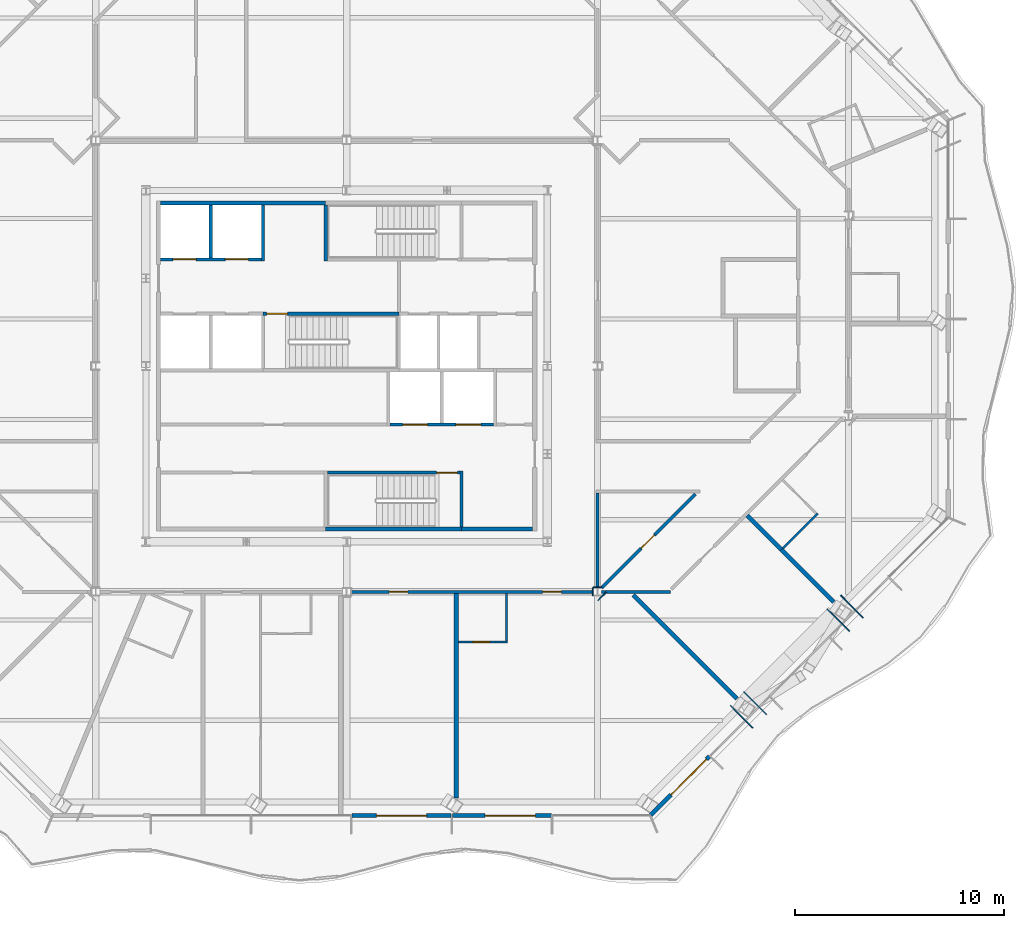
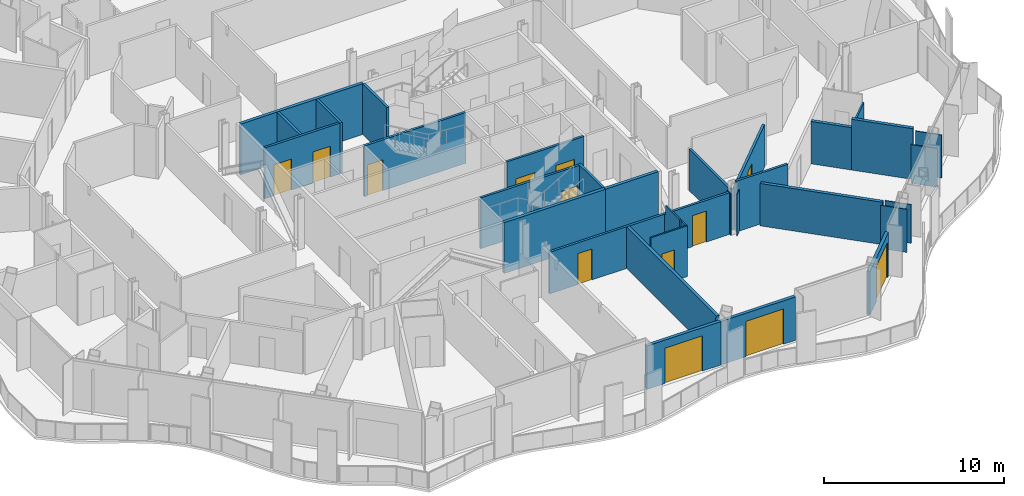
# One storey, part 9 of 22: 32 walls, 13 doors, 13 openings.
"""IFC4 building model written with IfcOpenShell, lengths in metres."""

from ifc_helpers import new_model, si_unit, direction, frame, frame_2d, origin, place, context, subcontext, project, spatial, polyline, rectangle, outline, extrude, material, layer, layer_set, type_object, element, fill, save


model = new_model("IFC4")

# Units and contexts
model_context = context("Model", 3, precision=1e-05, world=origin(), true_north=direction((0.0, 1.0)))
body_context = subcontext(model_context, "Body", "Model", "MODEL_VIEW")
ifc_project = project(units=[si_unit("LENGTHUNIT", "METRE"), si_unit("AREAUNIT", "SQUARE_METRE"), si_unit("VOLUMEUNIT", "CUBIC_METRE"), si_unit("PLANEANGLEUNIT", "RADIAN"), si_unit("MASSUNIT", "GRAM", prefix="KILO")], contexts=[model_context])

# Site, building, storey
site_placement = place(None, origin())
site = spatial("IfcSite", under=ifc_project, at=site_placement, CompositionType="ELEMENT")
building_placement = place(site_placement, origin())
building = spatial("IfcBuilding", under=site, at=building_placement, Name="Cairn Pilgrim Tower", CompositionType="ELEMENT")
storey_placement = place(building_placement, frame((0.0, 0.0, 175.800048828125)))
storey = spatial("IfcBuildingStorey", under=building, at=storey_placement, Name="L44", CompositionType="ELEMENT", Elevation=175.800048828125)

# Wall, opening, door
ifc_material_1 = material(Name="Bronze anodised aluminium insulated sandwich panel with mineral wool fill", Category="aluminium")
ifc_layer_1 = layer(ifc_material_1, 0.199951171875)
ifc_layer_set_1 = layer_set([ifc_layer_1], Name="BRONZE INFILL FRAME WALL 200")
wall_type_1 = type_object("IfcWallType", Name="BRONZE INFILL FRAME WALL 200", PredefinedType="NOTDEFINED", material=ifc_layer_set_1)
wall_1_placement = place(storey_placement, frame((7.455078125, -19.10009765625, 0.0), z_axis=(0.0, 0.0, 1.0), x_axis=(1.0, 0.0, 0.0)))
wall_1 = element("IfcWall", 1, at=wall_1_placement, inside=storey, type_object=wall_type_1, Name="Bronze infill frame wall IW-S4", PredefinedType="NOTDEFINED", context=body_context, shape_type="SweptSolid", body=[
    extrude(rectangle(XDim=4.739990234375, YDim=0.199951171875, at=frame_2d((2.3701171875, 0.0))), origin(), (0.0, 0.0, 1.0), 2.949951171875),
])
opening_1_placement = place(wall_1_placement, frame((1.169921875, 0.0, 0.0)))
opening_1 = element("IfcOpeningElement", 2, at=opening_1_placement, cuts=wall_1, Name="Opening 4401B", PredefinedType="OPENING", context=body_context, shape_type="SweptSolid", body=[
    extrude(rectangle(XDim=2.39990234375, YDim=2.39990234375, at=frame_2d((1.199951171875, 1.199951171875))), frame((0.0, 0.10986328125, 0.0), z_axis=(0.0, -1.0, 0.0), x_axis=(1.0, 0.0, 0.0)), (0.0, 0.0, 1.0), 0.219970703125),
])
ifc_material_2 = material(Name="Bronze anodised aluminium frame with tinted low-E glass", Category="aluminium")
door_type_1 = type_object("IfcDoorType", Name="BALCONY SLIDING DOOR 2400x2400", OperationType="DOUBLE_DOOR_SLIDING", PredefinedType="DOOR", material=ifc_material_2)
door_1_placement = place(opening_1_placement, origin())
door_1 = element("IfcDoor", 3, at=door_1_placement, inside=storey, type_object=door_type_1, Name="Balcony sliding door 4401B", OperationType="SINGLE_SWING_LEFT", OverallHeight=2.39990234375, OverallWidth=2.39990234375, PredefinedType="DOOR", context=body_context, shape_type="SweptSolid", body=[
    extrude(rectangle(XDim=2.39990234375, YDim=2.39990234375, at=frame_2d((1.199951171875, 1.199951171875))), frame((0.0, 0.02490234375, 0.0), z_axis=(0.0, -1.0, 0.0), x_axis=(1.0, 0.0, 0.0)), (0.0, 0.0, 1.0), 0.050048828125),
])
fill(opening_1, door_1)

wall_2_placement = place(storey_placement, frame((12.2548828125, -19.10009765625, 0.0), z_axis=(0.0, 0.0, 1.0), x_axis=(1.0, 0.0, 0.0)))
wall_2 = element("IfcWall", 4, at=wall_2_placement, inside=storey, type_object=wall_type_1, Name="Bronze infill frame wall IW-S5", PredefinedType="NOTDEFINED", context=body_context, shape_type="SweptSolid", body=[
    extrude(rectangle(XDim=4.740234375, YDim=0.199951171875, at=frame_2d((2.3701171875, 0.0))), origin(), (0.0, 0.0, 1.0), 2.949951171875),
])
opening_2_placement = place(wall_2_placement, frame((1.5703125, 0.0, 0.0)))
opening_2 = element("IfcOpeningElement", 5, at=opening_2_placement, cuts=wall_2, Name="Opening 4402B", PredefinedType="OPENING", context=body_context, shape_type="SweptSolid", body=[
    extrude(rectangle(XDim=2.39990234375, YDim=2.39990234375, at=frame_2d((1.199951171875, 1.199951171875))), frame((0.0, 0.10986328125, 0.0), z_axis=(0.0, -1.0, 0.0), x_axis=(1.0, 0.0, 0.0)), (0.0, 0.0, 1.0), 0.219970703125),
])
door_2_placement = place(opening_2_placement, origin())
door_2 = element("IfcDoor", 6, at=door_2_placement, inside=storey, type_object=door_type_1, Name="Balcony sliding door 4402B", OperationType="SINGLE_SWING_LEFT", OverallHeight=2.39990234375, OverallWidth=2.39990234375, PredefinedType="DOOR", context=body_context, shape_type="SweptSolid", body=[
    extrude(rectangle(XDim=2.39990234375, YDim=2.39990234375, at=frame_2d((1.199951171875, 1.199951171875))), frame((0.0, 0.02490234375, 0.0), z_axis=(0.0, -1.0, 0.0), x_axis=(1.0, 0.0, 0.0)), (0.0, 0.0, 1.0), 0.050048828125),
])
fill(opening_2, door_2)

wall_3_placement = place(storey_placement, frame((21.749755859375, -19.07177734375, 0.0), z_axis=(0.0, 0.0, 1.0), x_axis=(0.707106781187, 0.707106781187, 0.0)))
wall_3 = element("IfcWall", 7, at=wall_3_placement, inside=storey, type_object=wall_type_1, Name="Bronze infill frame wall IW-SE1", PredefinedType="NOTDEFINED", context=body_context, shape_type="SweptSolid", body=[
    extrude(rectangle(XDim=3.961669921875, YDim=0.199951171875, at=frame_2d((1.98095703125, 0.0))), origin(), (0.0, 0.0, 1.0), 2.949951171875),
])
opening_3_placement = place(wall_3_placement, frame((1.361572265625, 0.0, 0.0)))
opening_3 = element("IfcOpeningElement", 8, at=opening_3_placement, cuts=wall_3, Name="Opening 4402B2", PredefinedType="OPENING", context=body_context, shape_type="SweptSolid", body=[
    extrude(rectangle(XDim=2.39990234375, YDim=2.39990234375, at=frame_2d((1.199951171875, 1.199951171875))), frame((0.0, 0.10986328125, 0.0), z_axis=(0.0, -1.0, 0.0), x_axis=(1.0, 0.0, 0.0)), (0.0, 0.0, 1.0), 0.219970703125),
])
door_3_placement = place(opening_3_placement, origin())
door_3 = element("IfcDoor", 9, at=door_3_placement, inside=storey, type_object=door_type_1, Name="Balcony sliding door 4402B2", OperationType="SINGLE_SWING_LEFT", OverallHeight=2.39990234375, OverallWidth=2.39990234375, PredefinedType="DOOR", context=body_context, shape_type="SweptSolid", body=[
    extrude(rectangle(XDim=2.39990234375, YDim=2.39990234375, at=frame_2d((1.199951171875, 1.199951171875))), frame((0.0, 0.02490234375, 0.0), z_axis=(0.0, -1.0, 0.0), x_axis=(1.0, 0.0, 0.0)), (0.0, 0.0, 1.0), 0.050048828125),
])
fill(opening_3, door_3)

# Walls
ifc_material_3 = material(Name="Concrete C32/40", Category="concrete")
ifc_layer_2 = layer(ifc_material_3, 0.199951171875)
ifc_layer_set_2 = layer_set([ifc_layer_2], Name="CORE OUTER WALL 200 EI 120")
wall_type_2 = type_object("IfcWallType", Name="CORE OUTER WALL 200 EI 120", PredefinedType="SOLIDWALL", material=ifc_layer_set_2)
wall_4_placement = place(storey_placement, frame((12.699951171875, -5.39990234375, 0.0), z_axis=(0.0, 0.0, 1.0), x_axis=(1.0, 0.0, 0.0)))
element("IfcWall", 10, at=wall_4_placement, inside=storey, type_object=wall_type_2, Name="CW:L44:H01-3", PredefinedType="SOLIDWALL", context=body_context, shape_type="SweptSolid", body=[
    extrude(rectangle(XDim=3.400146484375, YDim=0.199951171875, at=frame_2d((1.7001953125, 0.0))), origin(), (0.0, 0.0, 1.0), 3.449951171875),
])
wall_5_placement = place(storey_placement, frame((-1.699951171875, 10.199951171875, 0.0), z_axis=(0.0, 0.0, 1.0), x_axis=(1.0, 0.0, 0.0)))
element("IfcWall", 11, at=wall_5_placement, inside=storey, type_object=wall_type_2, Name="CW:L44:H12-1", PredefinedType="SOLIDWALL", context=body_context, shape_type="SweptSolid", body=[
    extrude(rectangle(XDim=7.89990234375, YDim=0.199951171875, at=frame_2d((3.949951171875, 0.0))), origin(), (0.0, 0.0, 1.0), 3.449951171875),
])

# Wall, openings, doors
ifc_layer_3 = layer(ifc_material_3, 0.14990234375)
ifc_layer_set_3 = layer_set([ifc_layer_3], Name="CORE SHAFT WALL 150 EI 120")
wall_type_3 = type_object("IfcWallType", Name="CORE SHAFT WALL 150 EI 120", PredefinedType="SOLIDWALL", material=ifc_layer_set_3)
wall_6_placement = place(storey_placement, frame((9.27490234375, -0.39990234375, 0.0), z_axis=(0.0, 0.0, 1.0), x_axis=(1.0, 0.0, 0.0)))
wall_6 = element("IfcWall", 12, at=wall_6_placement, inside=storey, type_object=wall_type_3, Name="CW:L44:H05", PredefinedType="SOLIDWALL", context=body_context, shape_type="SweptSolid", body=[
    extrude(rectangle(XDim=4.9501953125, YDim=0.14990234375, at=frame_2d((2.47509765625, 0.0))), origin(), (0.0, 0.0, 1.0), 3.449951171875),
])
opening_4_placement = place(wall_6_placement, frame((0.60009765625, 0.0, 0.0)))
opening_4 = element("IfcOpeningElement", 13, at=opening_4_placement, cuts=wall_6, Name="Opening LD-SV1", PredefinedType="OPENING", context=body_context, shape_type="SweptSolid", body=[
    extrude(rectangle(XDim=1.199951171875, YDim=2.10009765625, at=frame_2d((0.60009765625, 1.050048828125))), frame((0.0, 0.0849609375, 0.0), z_axis=(0.0, -1.0, 0.0), x_axis=(1.0, 0.0, 0.0)), (0.0, 0.0, 1.0), 0.169921875),
])
opening_5_placement = place(wall_6_placement, frame((3.14990234375, 0.0, 0.0)))
opening_5 = element("IfcOpeningElement", 14, at=opening_5_placement, cuts=wall_6, Name="Opening LD-SV2", PredefinedType="OPENING", context=body_context, shape_type="SweptSolid", body=[
    extrude(rectangle(XDim=1.199951171875, YDim=2.10009765625, at=frame_2d((0.60009765625, 1.050048828125))), frame((0.0, 0.0849609375, 0.0), z_axis=(0.0, -1.0, 0.0), x_axis=(1.0, 0.0, 0.0)), (0.0, 0.0, 1.0), 0.169921875),
])
ifc_material_4 = material(Name="Stainless steel", Category="steel")
door_type_2 = type_object("IfcDoorType", Name="LIFT LANDING DOOR 1200x2100", OperationType="DOUBLE_DOOR_SLIDING", PredefinedType="DOOR", material=ifc_material_4)
door_4_placement = place(opening_4_placement, origin())
door_4 = element("IfcDoor", 15, at=door_4_placement, inside=storey, type_object=door_type_2, Name="LANDING DOOR SV1", OperationType="DOUBLE_DOOR_SLIDING", OverallHeight=2.10009765625, OverallWidth=1.199951171875, PredefinedType="DOOR", context=body_context, shape_type="SweptSolid", body=[
    extrude(rectangle(XDim=1.199951171875, YDim=2.10009765625, at=frame_2d((0.60009765625, 1.050048828125))), frame((0.0, 0.02490234375, 0.0), z_axis=(0.0, -1.0, 0.0), x_axis=(1.0, 0.0, 0.0)), (0.0, 0.0, 1.0), 0.050048828125),
])
fill(opening_4, door_4)
door_5_placement = place(opening_5_placement, origin())
door_5 = element("IfcDoor", 16, at=door_5_placement, inside=storey, type_object=door_type_2, Name="LANDING DOOR SV2", OperationType="DOUBLE_DOOR_SLIDING", OverallHeight=2.10009765625, OverallWidth=1.199951171875, PredefinedType="DOOR", context=body_context, shape_type="SweptSolid", body=[
    extrude(rectangle(XDim=1.199951171875, YDim=2.10009765625, at=frame_2d((0.60009765625, 1.050048828125))), frame((0.0, 0.02490234375, 0.0), z_axis=(0.0, -1.0, 0.0), x_axis=(1.0, 0.0, 0.0)), (0.0, 0.0, 1.0), 0.050048828125),
])
fill(opening_5, door_5)

wall_7_placement = place(storey_placement, frame((-1.699951171875, 7.5, 0.0), z_axis=(0.0, 0.0, 1.0), x_axis=(1.0, 0.0, 0.0)))
wall_7 = element("IfcWall", 17, at=wall_7_placement, inside=storey, type_object=wall_type_3, Name="CW:L44:H10", PredefinedType="SOLIDWALL", context=body_context, shape_type="SweptSolid", body=[
    extrude(rectangle(XDim=4.824951171875, YDim=0.14990234375, at=frame_2d((2.41259765625, 0.0))), origin(), (0.0, 0.0, 1.0), 3.449951171875),
])
opening_6_placement = place(wall_7_placement, frame((0.60009765625, 0.0, 0.0)))
opening_6 = element("IfcOpeningElement", 18, at=opening_6_placement, cuts=wall_7, Name="Opening LD-HR3", PredefinedType="OPENING", context=body_context, shape_type="SweptSolid", body=[
    extrude(rectangle(XDim=1.10009765625, YDim=2.10009765625, at=frame_2d((0.550048828125, 1.050048828125))), frame((0.0, 0.0849609375, 0.0), z_axis=(0.0, -1.0, 0.0), x_axis=(1.0, 0.0, 0.0)), (0.0, 0.0, 1.0), 0.169921875),
])
opening_7_placement = place(wall_7_placement, frame((3.10009765625, 0.0, 0.0)))
opening_7 = element("IfcOpeningElement", 19, at=opening_7_placement, cuts=wall_7, Name="Opening LD-HR4", PredefinedType="OPENING", context=body_context, shape_type="SweptSolid", body=[
    extrude(rectangle(XDim=1.10009765625, YDim=2.10009765625, at=frame_2d((0.550048828125, 1.050048828125))), frame((0.0, 0.0849609375, 0.0), z_axis=(0.0, -1.0, 0.0), x_axis=(1.0, 0.0, 0.0)), (0.0, 0.0, 1.0), 0.169921875),
])
door_type_3 = type_object("IfcDoorType", Name="LIFT LANDING DOOR 1100x2100", OperationType="DOUBLE_DOOR_SLIDING", PredefinedType="DOOR", material=ifc_material_4)
door_6_placement = place(opening_6_placement, origin())
door_6 = element("IfcDoor", 20, at=door_6_placement, inside=storey, type_object=door_type_3, Name="LANDING DOOR HR3", OperationType="DOUBLE_DOOR_SLIDING", OverallHeight=2.10009765625, OverallWidth=1.10009765625, PredefinedType="DOOR", context=body_context, shape_type="SweptSolid", body=[
    extrude(rectangle(XDim=1.10009765625, YDim=2.10009765625, at=frame_2d((0.550048828125, 1.050048828125))), frame((0.0, 0.02490234375, 0.0), z_axis=(0.0, -1.0, 0.0), x_axis=(1.0, 0.0, 0.0)), (0.0, 0.0, 1.0), 0.050048828125),
])
fill(opening_6, door_6)
door_7_placement = place(opening_7_placement, origin())
door_7 = element("IfcDoor", 21, at=door_7_placement, inside=storey, type_object=door_type_3, Name="LANDING DOOR HR4", OperationType="DOUBLE_DOOR_SLIDING", OverallHeight=2.10009765625, OverallWidth=1.10009765625, PredefinedType="DOOR", context=body_context, shape_type="SweptSolid", body=[
    extrude(rectangle(XDim=1.10009765625, YDim=2.10009765625, at=frame_2d((0.550048828125, 1.050048828125))), frame((0.0, 0.02490234375, 0.0), z_axis=(0.0, -1.0, 0.0), x_axis=(1.0, 0.0, 0.0)), (0.0, 0.0, 1.0), 0.050048828125),
])
fill(opening_7, door_7)

# Walls
wall_8_placement = place(storey_placement, frame((0.699951171875, 7.574951171875, 0.0), z_axis=(0.0, 0.0, 1.0), x_axis=(0.0, 1.0, 0.0)))
element("IfcWall", 22, at=wall_8_placement, inside=storey, type_object=wall_type_3, Name="CW:L44:V15", PredefinedType="SOLIDWALL", context=body_context, shape_type="SweptSolid", body=[
    extrude(rectangle(XDim=2.525146484375, YDim=0.14990234375, at=frame_2d((1.2626953125, 0.0))), origin(), (0.0, 0.0, 1.0), 3.449951171875),
])
wall_9_placement = place(storey_placement, frame((3.199951171875, 7.425048828125, 0.0), z_axis=(0.0, 0.0, 1.0), x_axis=(0.0, 1.0, 0.0)))
element("IfcWall", 23, at=wall_9_placement, inside=storey, type_object=wall_type_3, Name="CW:L44:V17", PredefinedType="SOLIDWALL", context=body_context, shape_type="SweptSolid", body=[
    extrude(rectangle(XDim=2.675048828125, YDim=0.14990234375, at=frame_2d((1.33740234375, 0.0))), origin(), (0.0, 0.0, 1.0), 3.449951171875),
])

# Wall, opening, door
ifc_material_5 = material(Name="Gypsum partition")
ifc_layer_4 = layer(ifc_material_5, 0.10009765625)
ifc_layer_set_4 = layer_set([ifc_layer_4], Name="PARTITION 100 DRYWALL")
wall_type_4 = type_object("IfcWallType", Name="PARTITION 100 DRYWALL", PredefinedType="PARTITIONING", material=ifc_layer_set_4)
wall_10_placement = place(storey_placement, frame((12.5380859375, -10.800048828125, 0.0), z_axis=(0.0, 0.0, 1.0), x_axis=(1.0, 0.0, 0.0)))
wall_10 = element("IfcWall", 24, at=wall_10_placement, inside=storey, type_object=wall_type_4, Name="PARTITION W011", PredefinedType="PARTITIONING", context=body_context, shape_type="SweptSolid", body=[
    extrude(rectangle(XDim=2.349853515625, YDim=0.10009765625, at=frame_2d((1.1748046875, 0.0))), origin(), (0.0, 0.0, 1.0), 3.449951171875),
])
opening_8_placement = place(wall_10_placement, frame((0.699951171875, 0.0, 0.0)))
opening_8 = element("IfcOpeningElement", 25, at=opening_8_placement, cuts=wall_10, Name="Opening 4402A", PredefinedType="OPENING", context=body_context, shape_type="SweptSolid", body=[
    extrude(rectangle(XDim=0.800048828125, YDim=2.10009765625, at=frame_2d((0.39990234375, 1.050048828125))), frame((0.0, 0.06005859375, 0.0), z_axis=(0.0, -1.0, 0.0), x_axis=(1.0, 0.0, 0.0)), (0.0, 0.0, 1.0), 0.1201171875),
])
ifc_material_6 = material(Name="Timber door leaf", Category="wood")
door_type_4 = type_object("IfcDoorType", Name="WC DOOR 800x2100", OperationType="NOTDEFINED", PredefinedType="DOOR", material=ifc_material_6)
door_8_placement = place(opening_8_placement, frame((0.800048828125, 0.0, 0.0), z_axis=(0.0, 0.0, 1.0), x_axis=(-1.0, 0.0, 0.0)))
door_8 = element("IfcDoor", 26, at=door_8_placement, inside=storey, type_object=door_type_4, Name="DOOR 4402A", OperationType="SINGLE_SWING_RIGHT", OverallHeight=2.10009765625, OverallWidth=0.800048828125, PredefinedType="DOOR", context=body_context, shape_type="SweptSolid", body=[
    extrude(rectangle(XDim=0.800048828125, YDim=2.10009765625, at=frame_2d((0.39990234375, 1.050048828125))), frame((0.0, 0.02490234375, 0.0), z_axis=(0.0, -1.0, 0.0), x_axis=(1.0, 0.0, 0.0)), (0.0, 0.0, 1.0), 0.050048828125),
])
fill(opening_8, door_8)

# Walls
wall_11_placement = place(storey_placement, frame((14.837890625, -10.75, 0.0), z_axis=(0.0, 0.0, 1.0), x_axis=(0.0, 1.0, 0.0)))
element("IfcWall", 27, at=wall_11_placement, inside=storey, type_object=wall_type_4, Name="PARTITION W012", PredefinedType="PARTITIONING", context=body_context, shape_type="SweptSolid", body=[
    extrude(outline(polyline([(0.0, 0.0), (2.27490234375, 0.0), (2.27490234375, 2.829833984375), (2.199951171875, 2.829833984375), (2.197998046875, 3.449951171875), (0.655029296875, 3.449951171875), (0.653076171875, 2.8798828125), (0.445068359375, 2.8798828125), (0.443115234375, 3.449951171875), (0.0, 3.449951171875), (0.0, 0.0)])), frame((0.0, 0.050048828125, 0.0), z_axis=(0.0, -1.0, 0.0), x_axis=(1.0, 0.0, 0.0)), (0.0, 0.0, 1.0), 0.10009765625),
])
wall_12_placement = place(storey_placement, frame((28.07080078125, -6.3173828125, 0.0), z_axis=(0.0, 0.0, 1.0), x_axis=(0.707106781187, 0.707106781187, 0.0)))
element("IfcWall", 28, at=wall_12_placement, inside=storey, type_object=wall_type_4, Name="PARTITION W031", PredefinedType="PARTITIONING", context=body_context, shape_type="SweptSolid", body=[
    extrude(rectangle(XDim=2.349853515625, YDim=0.10009765625, at=frame_2d((1.1748046875, 0.0))), origin(), (0.0, 0.0, 1.0), 2.8798828125),
])

# Wall, openings, doors
ifc_layer_5 = layer(ifc_material_5, 0.14990234375)
ifc_layer_set_5 = layer_set([ifc_layer_5], Name="PARTITION 150 DRYWALL EI 60")
wall_type_5 = type_object("IfcWallType", Name="PARTITION 150 DRYWALL EI 60", PredefinedType="PARTITIONING", material=ifc_layer_set_5)
wall_13_placement = place(storey_placement, frame((7.3994140625, -8.39990234375, 0.0), z_axis=(0.0, 0.0, 1.0), x_axis=(1.0, 0.0, 0.0)))
wall_13 = element("IfcWall", 29, at=wall_13_placement, inside=storey, type_object=wall_type_5, Name="PARTITION W022", PredefinedType="PARTITIONING", context=body_context, shape_type="SweptSolid", body=[
    extrude(rectangle(XDim=11.60107421875, YDim=0.14990234375, at=frame_2d((5.800537109375, 0.0))), origin(), (0.0, 0.0, 1.0), 2.829833984375),
])
opening_9_placement = place(wall_13_placement, frame((1.829345703125, 0.0, 0.0)))
opening_9 = element("IfcOpeningElement", 30, at=opening_9_placement, cuts=wall_13, Name="Opening 4401", PredefinedType="OPENING", context=body_context, shape_type="SweptSolid", body=[
    extrude(rectangle(XDim=0.89990234375, YDim=2.10009765625, at=frame_2d((0.449951171875, 1.050048828125))), frame((0.0, 0.0849609375, 0.0), z_axis=(0.0, -1.0, 0.0), x_axis=(1.0, 0.0, 0.0)), (0.0, 0.0, 1.0), 0.169921875),
])
opening_10_placement = place(wall_13_placement, frame((9.16943359375, 0.0, 0.0)))
opening_10 = element("IfcOpeningElement", 31, at=opening_10_placement, cuts=wall_13, Name="Opening 4402", PredefinedType="OPENING", context=body_context, shape_type="SweptSolid", body=[
    extrude(rectangle(XDim=0.89990234375, YDim=2.10009765625, at=frame_2d((0.449951171875, 1.050048828125))), frame((0.0, 0.0849609375, 0.0), z_axis=(0.0, -1.0, 0.0), x_axis=(1.0, 0.0, 0.0)), (0.0, 0.0, 1.0), 0.169921875),
])
door_type_5 = type_object("IfcDoorType", Name="ROOM DOOR 900x2100 FD30S", OperationType="NOTDEFINED", PredefinedType="DOOR", material=ifc_material_6)
door_9_placement = place(opening_10_placement, frame((0.89990234375, 0.0, 0.0), z_axis=(0.0, 0.0, 1.0), x_axis=(-1.0, 0.0, 0.0)))
door_9 = element("IfcDoor", 32, at=door_9_placement, inside=storey, type_object=door_type_5, Name="DOOR 4402", OperationType="SINGLE_SWING_RIGHT", OverallHeight=2.10009765625, OverallWidth=0.89990234375, PredefinedType="DOOR", context=body_context, shape_type="SweptSolid", body=[
    extrude(rectangle(XDim=0.89990234375, YDim=2.10009765625, at=frame_2d((0.449951171875, 1.050048828125))), frame((0.0, 0.02490234375, 0.0), z_axis=(0.0, -1.0, 0.0), x_axis=(1.0, 0.0, 0.0)), (0.0, 0.0, 1.0), 0.050048828125),
])
fill(opening_10, door_9)
door_type_6 = type_object("IfcDoorType", Name="SERVICE DOOR 900x2100 FD30S", OperationType="NOTDEFINED", PredefinedType="DOOR", material=ifc_material_6)
door_10_placement = place(opening_9_placement, frame((0.89990234375, 0.0, 0.0), z_axis=(0.0, 0.0, 1.0), x_axis=(-1.0, 0.0, 0.0)))
door_10 = element("IfcDoor", 33, at=door_10_placement, inside=storey, type_object=door_type_6, Name="DOOR 4401", OperationType="SINGLE_SWING_RIGHT", OverallHeight=2.10009765625, OverallWidth=0.89990234375, PredefinedType="DOOR", context=body_context, shape_type="SweptSolid", body=[
    extrude(rectangle(XDim=0.89990234375, YDim=2.10009765625, at=frame_2d((0.449951171875, 1.050048828125))), frame((0.0, 0.02490234375, 0.0), z_axis=(0.0, -1.0, 0.0), x_axis=(1.0, 0.0, 0.0)), (0.0, 0.0, 1.0), 0.050048828125),
])
fill(opening_9, door_10)

# Walls
wall_14_placement = place(storey_placement, frame((19.3994140625, -8.39990234375, 0.0), z_axis=(0.0, 0.0, 1.0), x_axis=(1.0, 0.0, 0.0)))
element("IfcWall", 34, at=wall_14_placement, inside=storey, type_object=wall_type_5, Name="PARTITION W023", PredefinedType="PARTITIONING", context=body_context, shape_type="SweptSolid", body=[
    extrude(rectangle(XDim=3.300537109375, YDim=0.14990234375, at=frame_2d((1.650390625, 0.0))), origin(), (0.0, 0.0, 1.0), 3.449951171875),
])
wall_15_placement = place(storey_placement, frame((19.199951171875, -8.20361328125, 0.0), z_axis=(0.0, 0.0, 1.0), x_axis=(0.0, 1.0, 0.0)))
element("IfcWall", 35, at=wall_15_placement, inside=storey, type_object=wall_type_5, Name="PARTITION W028", PredefinedType="PARTITIONING", context=body_context, shape_type="SweptSolid", body=[
    extrude(rectangle(XDim=4.528564453125, YDim=0.14990234375, at=frame_2d((2.26416015625, 0.0))), origin(), (0.0, 0.0, 1.0), 2.829833984375),
])

# Wall, opening, door
wall_16_placement = place(storey_placement, frame((19.39794921875, -8.201904296875, 0.0), z_axis=(0.0, 0.0, 1.0), x_axis=(0.707126073897, 0.70708748795, 0.0)))
wall_16 = element("IfcWall", 36, at=wall_16_placement, inside=storey, type_object=wall_type_5, Name="PARTITION W029", PredefinedType="PARTITIONING", context=body_context, shape_type="SweptSolid", body=[
    extrude(rectangle(XDim=6.3271484375, YDim=0.14990234375, at=frame_2d((3.16357421875, 0.0))), origin(), (0.0, 0.0, 1.0), 2.8798828125),
])
opening_11_placement = place(wall_16_placement, frame((2.6640625, 0.0, 0.0)))
opening_11 = element("IfcOpeningElement", 37, at=opening_11_placement, cuts=wall_16, Name="Opening 4425", PredefinedType="OPENING", context=body_context, shape_type="SweptSolid", body=[
    extrude(rectangle(XDim=0.89990234375, YDim=2.10009765625, at=frame_2d((0.449951171875, 1.050048828125))), frame((0.0, 0.0849609375, 0.0), z_axis=(0.0, -1.0, 0.0), x_axis=(1.0, 0.0, 0.0)), (0.0, 0.0, 1.0), 0.169921875),
])
door_11_placement = place(opening_11_placement, origin())
door_11 = element("IfcDoor", 38, at=door_11_placement, inside=storey, type_object=door_type_6, Name="DOOR 4425", OperationType="SINGLE_SWING_RIGHT", OverallHeight=2.10009765625, OverallWidth=0.89990234375, PredefinedType="DOOR", context=body_context, shape_type="SweptSolid", body=[
    extrude(rectangle(XDim=0.89990234375, YDim=2.10009765625, at=frame_2d((0.449951171875, 1.050048828125))), frame((0.0, 0.02490234375, 0.0), z_axis=(0.0, -1.0, 0.0), x_axis=(1.0, 0.0, 0.0)), (0.0, 0.0, 1.0), 0.050048828125),
])
fill(opening_11, door_11)

# Walls
ifc_layer_6 = layer(ifc_material_5, 0.050048828125)
ifc_layer_set_6 = layer_set([ifc_layer_6], Name="PARTITION 50 DRYWALL EI 60")
wall_type_6 = type_object("IfcWallType", Name="PARTITION 50 DRYWALL EI 60", PredefinedType="PARTITIONING", material=ifc_layer_set_6)
wall_17_placement = place(storey_placement, frame((26.62548828125, -14.911376953125, 0.0), z_axis=(0.0, 0.0, 1.0), x_axis=(-0.707106781187, 0.707106781187, 0.0)))
element("IfcWall", 39, at=wall_17_placement, inside=storey, type_object=wall_type_6, Name="COLUMN CASING WC05", PredefinedType="PARTITIONING", context=body_context, shape_type="SweptSolid", body=[
    extrude(rectangle(XDim=1.516357421875, YDim=0.050048828125, at=frame_2d((0.75830078125, 0.0))), origin(), (0.0, 0.0, 1.0), 2.929931640625),
])
wall_18_placement = place(storey_placement, frame((27.274658203125, -14.26220703125, 0.0), z_axis=(0.0, 0.0, 1.0), x_axis=(-0.707106781187, 0.707106781187, 0.0)))
element("IfcWall", 40, at=wall_18_placement, inside=storey, type_object=wall_type_6, Name="COLUMN CASING WC06", PredefinedType="PARTITIONING", context=body_context, shape_type="SweptSolid", body=[
    extrude(rectangle(XDim=1.516357421875, YDim=0.050048828125, at=frame_2d((0.75830078125, 0.0))), origin(), (0.0, 0.0, 1.0), 2.6298828125),
])
wall_19_placement = place(storey_placement, frame((31.89892578125, -9.63818359375, 0.0), z_axis=(0.0, 0.0, 1.0), x_axis=(-0.70694576405, 0.707267761665, 0.0)))
element("IfcWall", 41, at=wall_19_placement, inside=storey, type_object=wall_type_6, Name="COLUMN CASING WC09", PredefinedType="PARTITIONING", context=body_context, shape_type="SweptSolid", body=[
    extrude(rectangle(XDim=1.516357421875, YDim=0.050048828125, at=frame_2d((0.75830078125, 0.0))), origin(), (0.0, 0.0, 1.0), 2.929931640625),
])
wall_20_placement = place(storey_placement, frame((31.24951171875, -10.287353515625, 0.0), z_axis=(0.0, 0.0, 1.0), x_axis=(-0.70694576405, 0.707267761665, 0.0)))
element("IfcWall", 42, at=wall_20_placement, inside=storey, type_object=wall_type_6, Name="COLUMN CASING WC10", PredefinedType="PARTITIONING", context=body_context, shape_type="SweptSolid", body=[
    extrude(rectangle(XDim=1.516357421875, YDim=0.050048828125, at=frame_2d((0.75830078125, 0.0))), origin(), (0.0, 0.0, 1.0), 2.6298828125),
])
wall_21_placement = place(storey_placement, frame((19.00048828125, -8.178466796875, 0.0), z_axis=(0.0, 0.0, 1.0), x_axis=(1.0, 0.0, 0.0)))
element("IfcWall", 43, at=wall_21_placement, inside=storey, type_object=wall_type_6, Name="COLUMN CASING WC13", PredefinedType="PARTITIONING", context=body_context, shape_type="SweptSolid", body=[
    extrude(rectangle(XDim=0.39892578125, YDim=0.050048828125, at=frame_2d((0.199462890625, 0.0))), origin(), (0.0, 0.0, 1.0), 2.829833984375),
])
wall_22_placement = place(storey_placement, frame((18.9755859375, -8.596435546875, 0.0), z_axis=(0.0, 0.0, 1.0), x_axis=(0.0, 1.0, 0.0)))
element("IfcWall", 44, at=wall_22_placement, inside=storey, type_object=wall_type_6, Name="COLUMN CASING WC16", PredefinedType="PARTITIONING", context=body_context, shape_type="SweptSolid", body=[
    extrude(rectangle(XDim=0.392822265625, YDim=0.050048828125, at=frame_2d((0.1962890625, 0.0))), origin(), (0.0, 0.0, 1.0), 2.829833984375),
])
wall_23_placement = place(storey_placement, frame((19.2177734375, -8.813720703125, 0.0), z_axis=(0.0, 0.0, 1.0), x_axis=(0.707106781187, 0.707106781187, 0.0)))
element("IfcWall", 45, at=wall_23_placement, inside=storey, type_object=wall_type_6, Name="COLUMN CASING WC17", PredefinedType="PARTITIONING", context=body_context, shape_type="SweptSolid", body=[
    extrude(rectangle(XDim=0.56005859375, YDim=0.050048828125, at=frame_2d((0.280029296875, 0.0))), origin(), (0.0, 0.0, 1.0), 2.829833984375),
])
ifc_layer_7 = layer(ifc_material_5, 0.199951171875)
ifc_layer_set_7 = layer_set([ifc_layer_7], Name="SHAFT WALL 200 GYPSUM EI 60")
wall_type_7 = type_object("IfcWallType", Name="SHAFT WALL 200 GYPSUM EI 60", PredefinedType="PARTITIONING", material=ifc_layer_set_7)
wall_24_placement = place(storey_placement, frame((12.43798828125, -18.7021484375, 0.0), z_axis=(0.0, 0.0, 1.0), x_axis=(0.0, 1.0, 0.0)))
element("IfcWall", 46, at=wall_24_placement, inside=storey, type_object=wall_type_7, Name="PARTITION W004", PredefinedType="PARTITIONING", context=body_context, shape_type="SweptSolid", body=[
    extrude(outline(polyline([(0.45458984375, 0.0), (10.227294921875, 0.0), (10.227294921875, 0.862548828125), (10.227294921875, 1.724853515625), (10.227294921875, 2.58740234375), (10.227294921875, 2.829833984375), (0.2373046875, 2.829833984375), (0.330078125, 2.58740234375), (0.43798828125, 1.724853515625), (0.45458984375, 0.862548828125), (0.45458984375, 0.0)])), frame((0.0, 0.10009765625, 0.0), z_axis=(0.0, -1.0, 0.0), x_axis=(1.0, 0.0, 0.0)), (0.0, 0.0, 1.0), 0.199951171875),
])
wall_25_placement = place(storey_placement, frame((25.877685546875, -13.514892578125, 0.0), z_axis=(0.0, 0.0, 1.0), x_axis=(-0.70708941033, 0.707124151617, 0.0)))
element("IfcWall", 47, at=wall_25_placement, inside=storey, type_object=wall_type_7, Name="PARTITION W008", PredefinedType="PARTITIONING", context=body_context, shape_type="SweptSolid", body=[
    extrude(rectangle(XDim=7.02734375, YDim=0.199951171875, at=frame_2d((3.513671875, 0.0))), origin(), (0.0, 0.0, 1.0), 2.8798828125),
])
wall_26_placement = place(storey_placement, frame((30.501953125, -8.890625, 0.0), z_axis=(0.0, 0.0, 1.0), x_axis=(-0.707003289526, 0.707210257702, 0.0)))
element("IfcWall", 48, at=wall_26_placement, inside=storey, type_object=wall_type_7, Name="PARTITION W019", PredefinedType="PARTITIONING", context=body_context, shape_type="SweptSolid", body=[
    extrude(rectangle(XDim=3.538818359375, YDim=0.199951171875, at=frame_2d((1.76953125, 0.0))), origin(), (0.0, 0.0, 1.0), 3.449951171875),
])
wall_27_placement = place(storey_placement, frame((28.0, -6.387939453125, 0.0), z_axis=(0.0, 0.0, 1.0), x_axis=(-0.707106781187, 0.707106781187, 0.0)))
element("IfcWall", 49, at=wall_27_placement, inside=storey, type_object=wall_type_7, Name="PARTITION W030", PredefinedType="PARTITIONING", context=body_context, shape_type="SweptSolid", body=[
    extrude(rectangle(XDim=2.324951171875, YDim=0.199951171875, at=frame_2d((1.16259765625, 0.0))), origin(), (0.0, 0.0, 1.0), 2.8798828125),
])

# Wall, opening, door
ifc_material_7 = material(Name="Concrete C35/45", Category="concrete")
ifc_layer_8 = layer(ifc_material_7, 0.14990234375)
ifc_layer_set_8 = layer_set([ifc_layer_8], Name="STAIR SHAFT WALL 150 EI 120")
wall_type_8 = type_object("IfcWallType", Name="STAIR SHAFT WALL 150 EI 120", PredefinedType="SOLIDWALL", material=ifc_layer_set_8)
wall_28_placement = place(storey_placement, frame((6.27490234375, -2.699951171875, 0.0), z_axis=(0.0, 0.0, 1.0), x_axis=(1.0, 0.0, 0.0)))
wall_28 = element("IfcWall", 50, at=wall_28_placement, inside=storey, type_object=wall_type_8, Name="CW:L44:H03", PredefinedType="SOLIDWALL", context=body_context, shape_type="SweptSolid", body=[
    extrude(rectangle(XDim=6.35009765625, YDim=0.14990234375, at=frame_2d((3.175048828125, 0.0))), origin(), (0.0, 0.0, 1.0), 3.449951171875),
])
opening_12_placement = place(wall_28_placement, frame((5.22509765625, 0.0, 0.0)))
opening_12 = element("IfcOpeningElement", 51, at=opening_12_placement, cuts=wall_28, Name="Opening SD-A", PredefinedType="OPENING", context=body_context, shape_type="SweptSolid", body=[
    extrude(rectangle(XDim=1.0, YDim=2.10009765625, at=frame_2d((0.5, 1.050048828125))), frame((0.0, 0.0849609375, 0.0), z_axis=(0.0, -1.0, 0.0), x_axis=(1.0, 0.0, 0.0)), (0.0, 0.0, 1.0), 0.169921875),
])
ifc_material_8 = material(Name="Painted steel", Category="steel")
door_type_7 = type_object("IfcDoorType", Name="STAIR DOOR FD60S 1000x2100", OperationType="SINGLE_SWING_LEFT", PredefinedType="DOOR", material=ifc_material_8)
door_12_placement = place(opening_12_placement, origin())
door_12 = element("IfcDoor", 52, at=door_12_placement, inside=storey, type_object=door_type_7, Name="SD-A", OperationType="SINGLE_SWING_LEFT", OverallHeight=2.10009765625, OverallWidth=1.0, PredefinedType="DOOR", context=body_context, shape_type="SweptSolid", body=[
    extrude(rectangle(XDim=1.0, YDim=2.10009765625, at=frame_2d((0.5, 1.050048828125))), frame((0.0, 0.02490234375, 0.0), z_axis=(0.0, -1.0, 0.0), x_axis=(1.0, 0.0, 0.0)), (0.0, 0.0, 1.0), 0.050048828125),
])
fill(opening_12, door_12)

wall_29_placement = place(storey_placement, frame((3.199951171875, 4.89990234375, 0.0), z_axis=(0.0, 0.0, 1.0), x_axis=(1.0, 0.0, 0.0)))
wall_29 = element("IfcWall", 53, at=wall_29_placement, inside=storey, type_object=wall_type_8, Name="CW:L44:H09-2", PredefinedType="SOLIDWALL", context=body_context, shape_type="SweptSolid", body=[
    extrude(rectangle(XDim=6.5, YDim=0.14990234375, at=frame_2d((3.25, 0.0))), origin(), (0.0, 0.0, 1.0), 3.449951171875),
])
opening_13_placement = place(wall_29_placement, frame((0.175048828125, 0.0, 0.0)))
opening_13 = element("IfcOpeningElement", 54, at=opening_13_placement, cuts=wall_29, Name="Opening SD-B", PredefinedType="OPENING", context=body_context, shape_type="SweptSolid", body=[
    extrude(rectangle(XDim=1.0, YDim=2.10009765625, at=frame_2d((0.5, 1.050048828125))), frame((0.0, 0.0849609375, 0.0), z_axis=(0.0, -1.0, 0.0), x_axis=(1.0, 0.0, 0.0)), (0.0, 0.0, 1.0), 0.169921875),
])
door_13_placement = place(opening_13_placement, origin())
door_13 = element("IfcDoor", 55, at=door_13_placement, inside=storey, type_object=door_type_7, Name="SD-B", OperationType="SINGLE_SWING_RIGHT", OverallHeight=2.10009765625, OverallWidth=1.0, PredefinedType="DOOR", context=body_context, shape_type="SweptSolid", body=[
    extrude(rectangle(XDim=1.0, YDim=2.10009765625, at=frame_2d((0.5, 1.050048828125))), frame((0.0, 0.02490234375, 0.0), z_axis=(0.0, -1.0, 0.0), x_axis=(1.0, 0.0, 0.0)), (0.0, 0.0, 1.0), 0.050048828125),
])
fill(opening_13, door_13)

# Walls
for number, where, z_axis, x_axis, name in (
    (56, (6.199951171875, 7.425048828125, 0.0), (0.0, 0.0, 1.0), (0.0, 1.0, 0.0), "CW:L44:V19"),
    (57, (12.699951171875, -5.300048828125, 0.0), (0.0, 0.0, 1.0), (0.0, 1.0, 0.0), "CW:L44:V25"),
):
    element("IfcWall", number, at=place(storey_placement, frame(where, z_axis=z_axis, x_axis=x_axis)), inside=storey, type_object=wall_type_8, Name=name, PredefinedType="SOLIDWALL", context=body_context, shape_type="SweptSolid", body=[
        extrude(rectangle(XDim=2.675048828125, YDim=0.14990234375, at=frame_2d((1.33740234375, 0.0))), origin(), (0.0, 0.0, 1.0), 3.449951171875),
    ])
ifc_layer_9 = layer(ifc_material_7, 0.199951171875)
ifc_layer_set_9 = layer_set([ifc_layer_9], Name="STAIR SHAFT WALL 200 EI 120")
wall_type_9 = type_object("IfcWallType", Name="STAIR SHAFT WALL 200 EI 120", PredefinedType="SOLIDWALL", material=ifc_layer_set_9)
wall_30_placement = place(storey_placement, frame((6.199951171875, -5.39990234375, 0.0), z_axis=(0.0, 0.0, 1.0), x_axis=(1.0, 0.0, 0.0)))
element("IfcWall", 58, at=wall_30_placement, inside=storey, type_object=wall_type_9, Name="CW:L44:H01-2", PredefinedType="SOLIDWALL", context=body_context, shape_type="SweptSolid", body=[
    extrude(rectangle(XDim=6.5, YDim=0.199951171875, at=frame_2d((3.25, 0.0))), origin(), (0.0, 0.0, 1.0), 3.449951171875),
])

save(model, "model.ifc")
